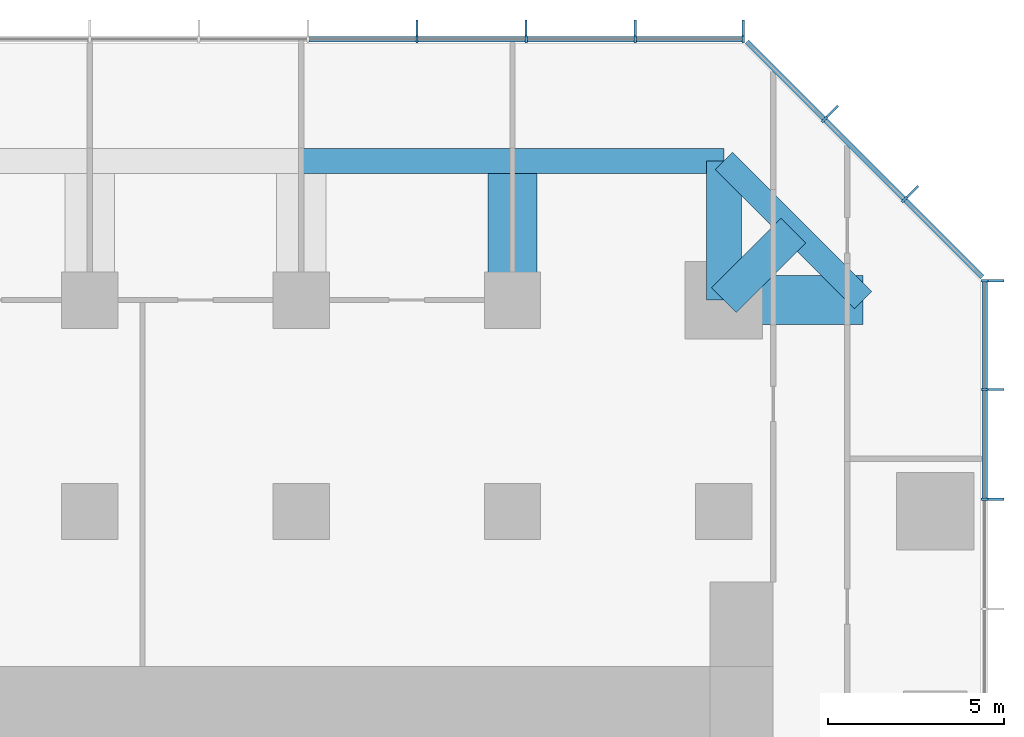
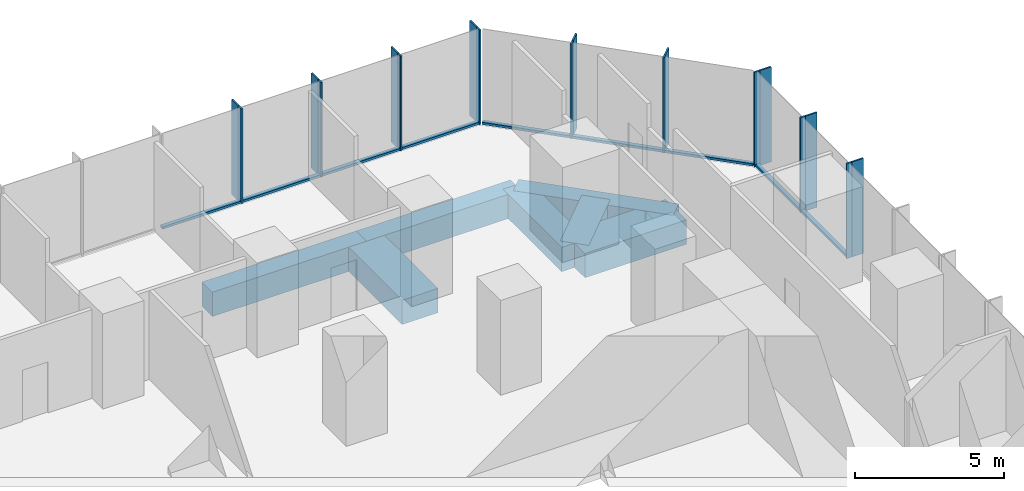
# One storey, part 6 of 11: 27 members, 7 beams, 3 elements without a shape of their own.
"""IFC4 building model written with IfcOpenShell, lengths in metres."""

from ifc_helpers import new_model, si_unit, direction, frame, origin, origin_2d, place, context, subcontext, project, spatial, rectangle, extrude, material, layer, layer_set, material_profile, profile_set, type_object, element, aggregate, save


model = new_model("IFC4")

# Units and contexts
model_context = context("Model", 3, precision=1e-05, world=origin(), true_north=direction((0.0, 1.0)))
body_context = subcontext(model_context, "Body", "Model", "MODEL_VIEW")
ifc_project = project(units=[si_unit("LENGTHUNIT", "METRE"), si_unit("AREAUNIT", "SQUARE_METRE"), si_unit("VOLUMEUNIT", "CUBIC_METRE"), si_unit("PLANEANGLEUNIT", "RADIAN"), si_unit("MASSUNIT", "GRAM", prefix="KILO")], contexts=[model_context])

# Site, building, storey
site_placement = place(None, origin())
site = spatial("IfcSite", under=ifc_project, at=site_placement, CompositionType="ELEMENT")
building_placement = place(site_placement, origin())
building = spatial("IfcBuilding", under=site, at=building_placement, Name="Highveld Stack Headquarters", CompositionType="ELEMENT")
storey_placement = place(building_placement, frame((0.0, 0.0, 109.39990234375)))
storey = spatial("IfcBuildingStorey", under=building, at=storey_placement, Name="L26", CompositionType="ELEMENT", Elevation=109.39990234375)

# Beams
ifc_material_1 = material(Name="Concrete C60/75", Category="concrete")
ifc_material_profile_1 = material_profile(ifc_material_1, rectangle(XDim=1.0, YDim=1.0, at=origin_2d()), Name="RC 1000x1000")
ifc_profile_set_1 = profile_set([ifc_material_profile_1], Name="Concrete C60/75")
beam_type_1 = type_object("IfcBeamType", Name="CANTILEVER RIB RC 1000x1000", PredefinedType="USERDEFINED", material=ifc_profile_set_1)
beam_1_placement = place(storey_placement, frame((18.0, 24.0, -0.75), z_axis=(0.0, 1.0, 0.0), x_axis=(-1.0, 0.0, 0.0)))
element("IfcBeam", 1, at=beam_1_placement, inside=storey, type_object=beam_type_1, Name="Cantilever rib 9/J L26", ObjectType="CANTILEVER RIB", PredefinedType="USERDEFINED", context=body_context, shape_type="SweptSolid", body=[
    extrude(rectangle(XDim=1.0, YDim=1.0, at=origin_2d()), origin(), (0.0, 0.0, 1.0), 3.949951171875),
])
beam_2_placement = place(storey_placement, frame((18.0, 24.0, -0.75), z_axis=(0.707106781187, 0.707106781187, 0.0), x_axis=(-0.707106781187, 0.707106781187, 0.0)))
element("IfcBeam", 2, at=beam_2_placement, inside=storey, type_object=beam_type_1, Name="Cantilever rib 9/J L26", ObjectType="CANTILEVER RIB", PredefinedType="USERDEFINED", context=body_context, shape_type="SweptSolid", body=[
    extrude(rectangle(XDim=1.0, YDim=1.0, at=origin_2d()), origin(), (0.0, 0.0, 1.0), 2.793212890625),
])
ifc_material_2 = material(Name="Concrete C60/75", Category="concrete")
ifc_material_profile_2 = material_profile(ifc_material_2, rectangle(XDim=1.39990234375, YDim=1.0, at=origin_2d()), Name="RC 1400x1000")
ifc_profile_set_2 = profile_set([ifc_material_profile_2], Name="Concrete C60/75")
beam_type_2 = type_object("IfcBeamType", Name="CANTILEVER RIB RC 1400x1000", PredefinedType="USERDEFINED", material=ifc_profile_set_2)
for number, where, z_axis, x_axis, name in (
    (3, (12.0, 24.0, -0.75), (0.0, 1.0, 0.0), (-1.0, 0.0, 0.0), "Cantilever rib 8/J L26"),
    (4, (18.0, 24.0, -0.75), (1.0, 0.0, 0.0), (0.0, 1.0, 0.0), "Cantilever rib 9/J L26"),
):
    element("IfcBeam", number, at=place(storey_placement, frame(where, z_axis=z_axis, x_axis=x_axis)), inside=storey, type_object=beam_type_2, Name=name, ObjectType="CANTILEVER RIB", PredefinedType="USERDEFINED", context=body_context, shape_type="SweptSolid", body=[
        extrude(rectangle(XDim=1.39990234375, YDim=1.0, at=origin_2d()), origin(), (0.0, 0.0, 1.0), 3.949951171875),
    ])

# Curtain wall, members
ifc_material_3 = material(Name="Aluminium bronze anodised", Category="aluminium")
ifc_layer_1 = layer(ifc_material_3, 0.199951171875)
ifc_layer_set_1 = layer_set([ifc_layer_1], Name="Aluminium bronze anodised")
curtain_wall_type_1 = type_object("IfcCurtainWallType", Name="CW1 TOWER UNITISED CURTAIN WALL", PredefinedType="NOTDEFINED", material=ifc_layer_set_1)
curtain_wall_1_placement = place(storey_placement, origin())
curtain_wall_1 = element("IfcCurtainWall", 5, at=curtain_wall_1_placement, inside=storey, type_object=curtain_wall_type_1, Name="Curtain wall CW1 L26 E", PredefinedType="NOTDEFINED")
ifc_material_4 = material(Name="Aluminium bronze anodised", Category="aluminium")
ifc_material_profile_3 = material_profile(ifc_material_4, rectangle(XDim=0.449951171875, YDim=0.06005859375, at=origin_2d()), Name="FIN 450x60")
ifc_profile_set_3 = profile_set([ifc_material_profile_3], Name="Aluminium bronze anodised")
member_type_1 = type_object("IfcMemberType", Name="CW1 BRONZE FIN 450x60", PredefinedType="USERDEFINED", material=ifc_profile_set_3)
member_1_placement = place(storey_placement, frame((25.72509765625, 18.347900390625, 0.0), z_axis=(0.0, 0.0, 1.0), x_axis=(-1.0, 0.0, 0.0)))
member_1 = element("IfcMember", 6, at=member_1_placement, type_object=member_type_1, Name="CW1 fin L26 9", ObjectType="FIN", PredefinedType="USERDEFINED", context=body_context, shape_type="SweptSolid", body=[
    extrude(rectangle(XDim=0.449951171875, YDim=0.06005859375, at=origin_2d()), origin(), (0.0, 0.0, 1.0), 3.900146484375),
])
member_2_placement = place(storey_placement, frame((25.72509765625, 21.4638671875, 0.0), z_axis=(0.0, 0.0, 1.0), x_axis=(-1.0, 0.0, 0.0)))
member_2 = element("IfcMember", 7, at=member_2_placement, type_object=member_type_1, Name="CW1 fin L26 10", ObjectType="FIN", PredefinedType="USERDEFINED", context=body_context, shape_type="SweptSolid", body=[
    extrude(rectangle(XDim=0.449951171875, YDim=0.06005859375, at=origin_2d()), origin(), (0.0, 0.0, 1.0), 3.900146484375),
])
member_3_placement = place(storey_placement, frame((25.72509765625, 24.54736328125, 0.0), z_axis=(0.0, 0.0, 1.0), x_axis=(-1.0, 0.0, 0.0)))
member_3 = element("IfcMember", 8, at=member_3_placement, type_object=member_type_1, Name="CW1 fin L26 11", ObjectType="FIN", PredefinedType="USERDEFINED", context=body_context, shape_type="SweptSolid", body=[
    extrude(rectangle(XDim=0.449951171875, YDim=0.06005859375, at=origin_2d()), origin(), (0.0, 0.0, 1.0), 3.900146484375),
])

curtain_wall_2_placement = place(storey_placement, origin())
curtain_wall_2 = element("IfcCurtainWall", 9, at=curtain_wall_2_placement, inside=storey, type_object=curtain_wall_type_1, Name="Curtain wall CW1 L26 N", PredefinedType="NOTDEFINED")
member_4_placement = place(storey_placement, frame((18.54736328125, 31.72509765625, 0.0), z_axis=(0.0, 0.0, 1.0), x_axis=(0.0, -1.0, 0.0)))
member_4 = element("IfcMember", 10, at=member_4_placement, type_object=member_type_1, Name="CW1 fin L26 1", ObjectType="FIN", PredefinedType="USERDEFINED", context=body_context, shape_type="SweptSolid", body=[
    extrude(rectangle(XDim=0.449951171875, YDim=0.06005859375, at=origin_2d()), origin(), (0.0, 0.0, 1.0), 3.900146484375),
])
member_5_placement = place(storey_placement, frame((15.483154296875, 31.72509765625, 0.0), z_axis=(0.0, 0.0, 1.0), x_axis=(0.0, -1.0, 0.0)))
member_5 = element("IfcMember", 11, at=member_5_placement, type_object=member_type_1, Name="CW1 fin L26 2", ObjectType="FIN", PredefinedType="USERDEFINED", context=body_context, shape_type="SweptSolid", body=[
    extrude(rectangle(XDim=0.449951171875, YDim=0.06005859375, at=origin_2d()), origin(), (0.0, 0.0, 1.0), 3.900146484375),
])
member_6_placement = place(storey_placement, frame((12.38671875, 31.72509765625, 0.0), z_axis=(0.0, 0.0, 1.0), x_axis=(0.0, -1.0, 0.0)))
member_6 = element("IfcMember", 12, at=member_6_placement, type_object=member_type_1, Name="CW1 fin L26 3", ObjectType="FIN", PredefinedType="USERDEFINED", context=body_context, shape_type="SweptSolid", body=[
    extrude(rectangle(XDim=0.449951171875, YDim=0.06005859375, at=origin_2d()), origin(), (0.0, 0.0, 1.0), 3.900146484375),
])
member_7_placement = place(storey_placement, frame((9.289794921875, 31.72509765625, 0.0), z_axis=(0.0, 0.0, 1.0), x_axis=(0.0, -1.0, 0.0)))
member_7 = element("IfcMember", 13, at=member_7_placement, type_object=member_type_1, Name="CW1 fin L26 4", ObjectType="FIN", PredefinedType="USERDEFINED", context=body_context, shape_type="SweptSolid", body=[
    extrude(rectangle(XDim=0.449951171875, YDim=0.06005859375, at=origin_2d()), origin(), (0.0, 0.0, 1.0), 3.900146484375),
])

# Member
ifc_material_5 = material(Name="Aluminium bronze anodised", Category="aluminium")
ifc_material_profile_4 = material_profile(ifc_material_5, rectangle(XDim=0.199951171875, YDim=0.06494140625, at=origin_2d()), Name="CW1 MULLION 65x200")
ifc_profile_set_4 = profile_set([ifc_material_profile_4], Name="Aluminium bronze anodised")
member_type_2 = type_object("IfcMemberType", Name="CW1 MULLION 65x200", PredefinedType="MULLION", material=ifc_profile_set_4)
member_8_placement = place(storey_placement, frame((25.39990234375, 18.347900390625, 0.0), z_axis=(0.0, 0.0, 1.0), x_axis=(-1.0, 0.0, 0.0)))
member_8 = element("IfcMember", 14, at=member_8_placement, type_object=member_type_2, Name="CW1 mullion L26 9", PredefinedType="MULLION", context=body_context, shape_type="SweptSolid", body=[
    extrude(rectangle(XDim=0.199951171875, YDim=0.06494140625, at=origin_2d()), origin(), (0.0, 0.0, 1.0), 3.900146484375),
])

member_9_placement = place(storey_placement, frame((25.39990234375, 21.4638671875, 0.0), z_axis=(0.0, 0.0, 1.0), x_axis=(-1.0, 0.0, 0.0)))
member_9 = element("IfcMember", 15, at=member_9_placement, type_object=member_type_2, Name="CW1 mullion L26 10", PredefinedType="MULLION", context=body_context, shape_type="SweptSolid", body=[
    extrude(rectangle(XDim=0.199951171875, YDim=0.06494140625, at=origin_2d()), origin(), (0.0, 0.0, 1.0), 3.900146484375),
])

member_10_placement = place(storey_placement, frame((25.39990234375, 24.54736328125, 0.0), z_axis=(0.0, 0.0, 1.0), x_axis=(-1.0, 0.0, 0.0)))
member_10 = element("IfcMember", 16, at=member_10_placement, type_object=member_type_2, Name="CW1 mullion L26 11", PredefinedType="MULLION", context=body_context, shape_type="SweptSolid", body=[
    extrude(rectangle(XDim=0.199951171875, YDim=0.06494140625, at=origin_2d()), origin(), (0.0, 0.0, 1.0), 3.900146484375),
])

member_11_placement = place(storey_placement, frame((18.54736328125, 31.39990234375, 0.0), z_axis=(0.0, 0.0, 1.0), x_axis=(0.0, -1.0, 0.0)))
member_11 = element("IfcMember", 17, at=member_11_placement, type_object=member_type_2, Name="CW1 mullion L26 1", PredefinedType="MULLION", context=body_context, shape_type="SweptSolid", body=[
    extrude(rectangle(XDim=0.199951171875, YDim=0.06494140625, at=origin_2d()), origin(), (0.0, 0.0, 1.0), 3.900146484375),
])

member_12_placement = place(storey_placement, frame((15.483154296875, 31.39990234375, 0.0), z_axis=(0.0, 0.0, 1.0), x_axis=(0.0, -1.0, 0.0)))
member_12 = element("IfcMember", 18, at=member_12_placement, type_object=member_type_2, Name="CW1 mullion L26 2", PredefinedType="MULLION", context=body_context, shape_type="SweptSolid", body=[
    extrude(rectangle(XDim=0.199951171875, YDim=0.06494140625, at=origin_2d()), origin(), (0.0, 0.0, 1.0), 3.900146484375),
])

member_13_placement = place(storey_placement, frame((12.38671875, 31.39990234375, 0.0), z_axis=(0.0, 0.0, 1.0), x_axis=(0.0, -1.0, 0.0)))
member_13 = element("IfcMember", 19, at=member_13_placement, type_object=member_type_2, Name="CW1 mullion L26 3", PredefinedType="MULLION", context=body_context, shape_type="SweptSolid", body=[
    extrude(rectangle(XDim=0.199951171875, YDim=0.06494140625, at=origin_2d()), origin(), (0.0, 0.0, 1.0), 3.900146484375),
])

member_14_placement = place(storey_placement, frame((9.289794921875, 31.39990234375, 0.0), z_axis=(0.0, 0.0, 1.0), x_axis=(0.0, -1.0, 0.0)))
member_14 = element("IfcMember", 20, at=member_14_placement, type_object=member_type_2, Name="CW1 mullion L26 4", PredefinedType="MULLION", context=body_context, shape_type="SweptSolid", body=[
    extrude(rectangle(XDim=0.199951171875, YDim=0.06494140625, at=origin_2d()), origin(), (0.0, 0.0, 1.0), 3.900146484375),
])

ifc_material_6 = material(Name="Aluminium bronze anodised", Category="aluminium")
ifc_material_profile_5 = material_profile(ifc_material_6, rectangle(XDim=0.14990234375, YDim=0.10009765625, at=origin_2d()), Name="CW1 TRANSOM 150x100")
ifc_profile_set_5 = profile_set([ifc_material_profile_5], Name="Aluminium bronze anodised")
member_type_3 = type_object("IfcMemberType", Name="CW1 STACK TRANSOM 150x100", PredefinedType="USERDEFINED", material=ifc_profile_set_5)
member_15_placement = place(storey_placement, frame((25.39990234375, 18.38037109375, 0.050048828125), z_axis=(0.0, 1.0, 0.0), x_axis=(-1.0, 0.0, 0.0)))
member_15 = element("IfcMember", 21, at=member_15_placement, type_object=member_type_3, Name="CW1 transom L26 9.1", ObjectType="TRANSOM", PredefinedType="USERDEFINED", context=body_context, shape_type="SweptSolid", body=[
    extrude(rectangle(XDim=0.14990234375, YDim=0.10009765625, at=origin_2d()), origin(), (0.0, 0.0, 1.0), 3.051025390625),
])

member_16_placement = place(storey_placement, frame((25.39990234375, 21.496337890625, 0.050048828125), z_axis=(0.0, 1.0, 0.0), x_axis=(-1.0, 0.0, 0.0)))
member_16 = element("IfcMember", 22, at=member_16_placement, type_object=member_type_3, Name="CW1 transom L26 10.1", ObjectType="TRANSOM", PredefinedType="USERDEFINED", context=body_context, shape_type="SweptSolid", body=[
    extrude(rectangle(XDim=0.14990234375, YDim=0.10009765625, at=origin_2d()), origin(), (0.0, 0.0, 1.0), 3.0185546875),
])

aggregate(curtain_wall_1, [member_8, member_1, member_9, member_2, member_10, member_3, member_15, member_16])

member_17_placement = place(storey_placement, frame((18.514892578125, 31.39990234375, 0.050048828125), z_axis=(-1.0, 0.0, 0.0), x_axis=(0.0, -1.0, 0.0)))
member_17 = element("IfcMember", 23, at=member_17_placement, type_object=member_type_3, Name="CW1 transom L26 1.1", ObjectType="TRANSOM", PredefinedType="USERDEFINED", context=body_context, shape_type="SweptSolid", body=[
    extrude(rectangle(XDim=0.14990234375, YDim=0.10009765625, at=origin_2d()), origin(), (0.0, 0.0, 1.0), 2.999267578125),
])

member_18_placement = place(storey_placement, frame((15.45068359375, 31.39990234375, 0.050048828125), z_axis=(-1.0, 0.0, 0.0), x_axis=(0.0, -1.0, 0.0)))
member_18 = element("IfcMember", 24, at=member_18_placement, type_object=member_type_3, Name="CW1 transom L26 2.1", ObjectType="TRANSOM", PredefinedType="USERDEFINED", context=body_context, shape_type="SweptSolid", body=[
    extrude(rectangle(XDim=0.14990234375, YDim=0.10009765625, at=origin_2d()), origin(), (0.0, 0.0, 1.0), 3.031494140625),
])

member_19_placement = place(storey_placement, frame((12.35400390625, 31.39990234375, 0.050048828125), z_axis=(-1.0, 0.0, 0.0), x_axis=(0.0, -1.0, 0.0)))
member_19 = element("IfcMember", 25, at=member_19_placement, type_object=member_type_3, Name="CW1 transom L26 3.1", ObjectType="TRANSOM", PredefinedType="USERDEFINED", context=body_context, shape_type="SweptSolid", body=[
    extrude(rectangle(XDim=0.14990234375, YDim=0.10009765625, at=origin_2d()), origin(), (0.0, 0.0, 1.0), 3.031494140625),
])

member_20_placement = place(storey_placement, frame((9.25732421875, 31.39990234375, 0.050048828125), z_axis=(-1.0, 0.0, 0.0), x_axis=(0.0, -1.0, 0.0)))
member_20 = element("IfcMember", 26, at=member_20_placement, type_object=member_type_3, Name="CW1 transom L26 4.1", ObjectType="TRANSOM", PredefinedType="USERDEFINED", context=body_context, shape_type="SweptSolid", body=[
    extrude(rectangle(XDim=0.14990234375, YDim=0.10009765625, at=origin_2d()), origin(), (0.0, 0.0, 1.0), 3.031494140625),
])

aggregate(curtain_wall_2, [member_11, member_4, member_12, member_5, member_13, member_6, member_14, member_7, member_17, member_18, member_19, member_20])

# Curtain wall, members
ifc_material_7 = material(Name="Aluminium bronze anodised", Category="aluminium")
ifc_layer_2 = layer(ifc_material_7, 0.199951171875)
ifc_layer_set_2 = layer_set([ifc_layer_2], Name="Aluminium bronze anodised")
curtain_wall_type_2 = type_object("IfcCurtainWallType", Name="CW2 TOWER CHAMFER UNITISED CURTAIN WALL", PredefinedType="NOTDEFINED", material=ifc_layer_set_2)
curtain_wall_3_placement = place(storey_placement, origin())
curtain_wall_3 = element("IfcCurtainWall", 27, at=curtain_wall_3_placement, inside=storey, type_object=curtain_wall_type_2, Name="Curtain wall CW2 L26 NE", PredefinedType="NOTDEFINED")
ifc_material_8 = material(Name="Aluminium bronze anodised", Category="aluminium")
ifc_material_profile_6 = material_profile(ifc_material_8, rectangle(XDim=0.449951171875, YDim=0.06005859375, at=origin_2d()), Name="FIN 450x60")
ifc_profile_set_6 = profile_set([ifc_material_profile_6], Name="Aluminium bronze anodised")
member_type_4 = type_object("IfcMemberType", Name="CW2 BRONZE FIN 450x60", PredefinedType="USERDEFINED", material=ifc_profile_set_6)
member_21_placement = place(storey_placement, frame((23.3564453125, 27.0830078125, 0.0), z_axis=(0.0, 0.0, 1.0), x_axis=(-0.707106781187, -0.707106781187, 0.0)))
member_21 = element("IfcMember", 28, at=member_21_placement, type_object=member_type_4, Name="CW2 fin L26 1", ObjectType="FIN", PredefinedType="USERDEFINED", context=body_context, shape_type="SweptSolid", body=[
    extrude(rectangle(XDim=0.449951171875, YDim=0.06005859375, at=origin_2d()), origin(), (0.0, 0.0, 1.0), 3.900146484375),
])
member_22_placement = place(storey_placement, frame((21.0830078125, 29.3564453125, 0.0), z_axis=(0.0, 0.0, 1.0), x_axis=(-0.707106781187, -0.707106781187, 0.0)))
member_22 = element("IfcMember", 29, at=member_22_placement, type_object=member_type_4, Name="CW2 fin L26 2", ObjectType="FIN", PredefinedType="USERDEFINED", context=body_context, shape_type="SweptSolid", body=[
    extrude(rectangle(XDim=0.449951171875, YDim=0.06005859375, at=origin_2d()), origin(), (0.0, 0.0, 1.0), 3.900146484375),
])
ifc_material_9 = material(Name="Aluminium bronze anodised", Category="aluminium")
ifc_material_profile_7 = material_profile(ifc_material_9, rectangle(XDim=0.199951171875, YDim=0.06494140625, at=origin_2d()), Name="CW2 MULLION 65x200")
ifc_profile_set_7 = profile_set([ifc_material_profile_7], Name="Aluminium bronze anodised")
member_type_5 = type_object("IfcMemberType", Name="CW2 MULLION 65x200", PredefinedType="MULLION", material=ifc_profile_set_7)
member_23_placement = place(storey_placement, frame((23.126708984375, 26.853271484375, 0.0), z_axis=(0.0, 0.0, 1.0), x_axis=(-0.707106781187, -0.707106781187, 0.0)))
member_23 = element("IfcMember", 30, at=member_23_placement, type_object=member_type_5, Name="CW2 mullion L26 1", PredefinedType="MULLION", context=body_context, shape_type="SweptSolid", body=[
    extrude(rectangle(XDim=0.199951171875, YDim=0.06494140625, at=origin_2d()), origin(), (0.0, 0.0, 1.0), 3.900146484375),
])
member_24_placement = place(storey_placement, frame((20.853271484375, 29.126708984375, 0.0), z_axis=(0.0, 0.0, 1.0), x_axis=(-0.707106781187, -0.707106781187, 0.0)))
member_24 = element("IfcMember", 31, at=member_24_placement, type_object=member_type_5, Name="CW2 mullion L26 2", PredefinedType="MULLION", context=body_context, shape_type="SweptSolid", body=[
    extrude(rectangle(XDim=0.199951171875, YDim=0.06494140625, at=origin_2d()), origin(), (0.0, 0.0, 1.0), 3.900146484375),
])
ifc_material_10 = material(Name="Aluminium bronze anodised", Category="aluminium")
ifc_material_profile_8 = material_profile(ifc_material_10, rectangle(XDim=0.14990234375, YDim=0.10009765625, at=origin_2d()), Name="CW2 TRANSOM 150x100")
ifc_profile_set_8 = profile_set([ifc_material_profile_8], Name="Aluminium bronze anodised")
member_type_6 = type_object("IfcMemberType", Name="CW2 STACK TRANSOM 150x100", PredefinedType="USERDEFINED", material=ifc_profile_set_8)
member_25_placement = place(storey_placement, frame((25.329345703125, 24.650634765625, 0.050048828125), z_axis=(-0.707106781187, 0.707106781187, 0.0), x_axis=(-0.707106781187, -0.707106781187, 0.0)))
member_25 = element("IfcMember", 32, at=member_25_placement, type_object=member_type_6, Name="CW2 transom L26 1.1", ObjectType="TRANSOM", PredefinedType="USERDEFINED", context=body_context, shape_type="SweptSolid", body=[
    extrude(rectangle(XDim=0.14990234375, YDim=0.10009765625, at=origin_2d()), origin(), (0.0, 0.0, 1.0), 3.08251953125),
])
member_26_placement = place(storey_placement, frame((23.103759765625, 26.876220703125, 0.050048828125), z_axis=(-0.707106781187, 0.707106781187, 0.0), x_axis=(-0.707106781187, -0.707106781187, 0.0)))
member_26 = element("IfcMember", 33, at=member_26_placement, type_object=member_type_6, Name="CW2 transom L26 2.1", ObjectType="TRANSOM", PredefinedType="USERDEFINED", context=body_context, shape_type="SweptSolid", body=[
    extrude(rectangle(XDim=0.14990234375, YDim=0.10009765625, at=origin_2d()), origin(), (0.0, 0.0, 1.0), 3.150146484375),
])
member_27_placement = place(storey_placement, frame((20.830322265625, 29.149658203125, 0.050048828125), z_axis=(-0.707106781187, 0.707106781187, 0.0), x_axis=(-0.707106781187, -0.707106781187, 0.0)))
member_27 = element("IfcMember", 34, at=member_27_placement, type_object=member_type_6, Name="CW2 transom L26 3.1", ObjectType="TRANSOM", PredefinedType="USERDEFINED", context=body_context, shape_type="SweptSolid", body=[
    extrude(rectangle(XDim=0.14990234375, YDim=0.10009765625, at=origin_2d()), origin(), (0.0, 0.0, 1.0), 3.08251953125),
])
aggregate(curtain_wall_3, [member_23, member_21, member_24, member_22, member_25, member_26, member_27])

# Beams
ifc_material_11 = material(Name="Concrete C60/75", Category="concrete")
ifc_material_profile_9 = material_profile(ifc_material_11, rectangle(XDim=0.699951171875, YDim=1.0, at=origin_2d()), Name="RC 700x1000")
ifc_profile_set_9 = profile_set([ifc_material_profile_9], Name="Concrete C60/75")
beam_type_3 = type_object("IfcBeamType", Name="RIB TIP BEAM RC 700x1000", PredefinedType="SPANDREL", material=ifc_profile_set_9)
for number, where, z_axis, x_axis, name in (
    (35, (6.0, 27.949951171875, -0.75), (1.0, 0.0, 0.0), (0.0, 1.0, 0.0), "Rib tip beam 7/J to 8/J L26"),
    (36, (12.0, 27.949951171875, -0.75), (1.0, 0.0, 0.0), (0.0, 1.0, 0.0), "Rib tip beam 8/J to 9/J L26"),
):
    element("IfcBeam", number, at=place(storey_placement, frame(where, z_axis=z_axis, x_axis=x_axis)), inside=storey, type_object=beam_type_3, Name=name, PredefinedType="SPANDREL", context=body_context, shape_type="SweptSolid", body=[
        extrude(rectangle(XDim=0.699951171875, YDim=1.0, at=origin_2d()), origin(), (0.0, 0.0, 1.0), 6.0),
    ])
beam_3_placement = place(storey_placement, frame((21.949951171875, 24.0, -0.75), z_axis=(-0.707106781187, 0.707106781187, 0.0), x_axis=(-0.707106781187, -0.707106781187, 0.0)))
element("IfcBeam", 37, at=beam_3_placement, inside=storey, type_object=beam_type_3, Name="Rib tip beam 9/J corner L26", PredefinedType="SPANDREL", context=body_context, shape_type="SweptSolid", body=[
    extrude(rectangle(XDim=0.699951171875, YDim=1.0, at=origin_2d()), origin(), (0.0, 0.0, 1.0), 5.586181640625),
])

save(model, "model.ifc")
